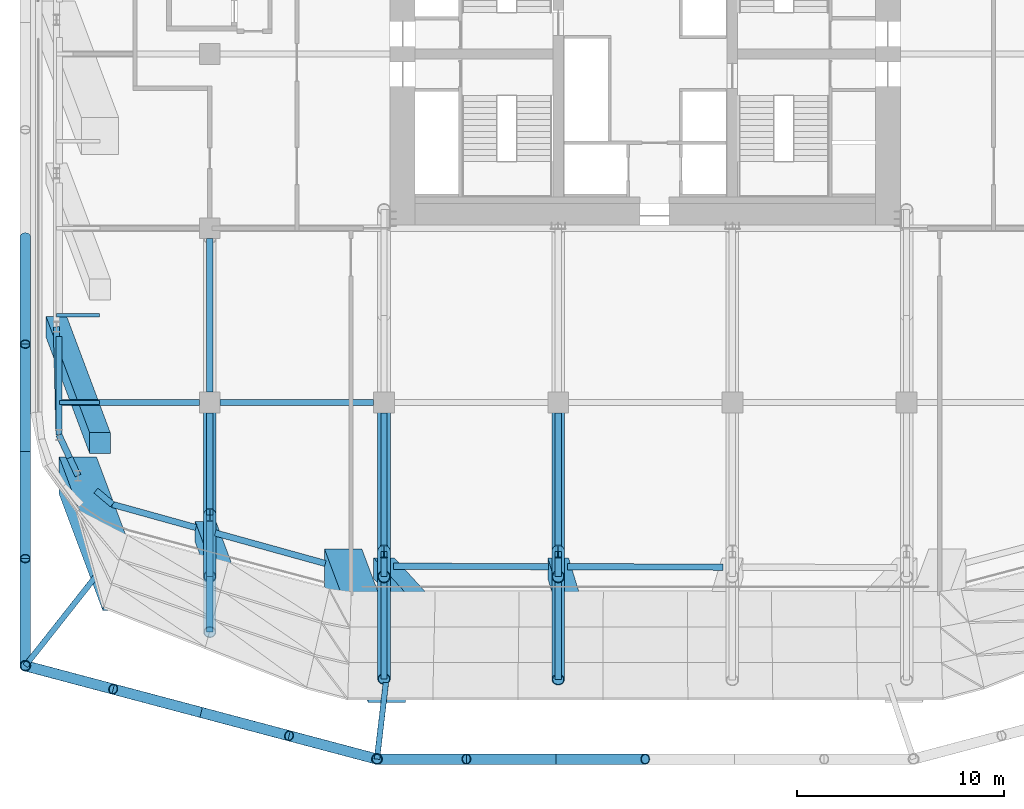
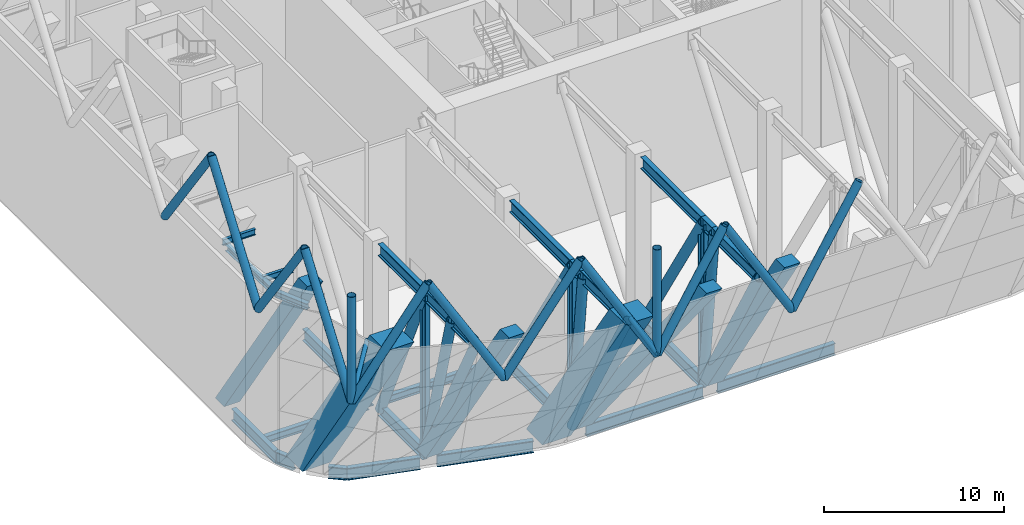
# One storey, part 3 of 19: 35 beams, 24 members.
"""IFC4 building model written with IfcOpenShell, lengths in metres."""

from ifc_helpers import new_model, si_unit, direction, frame, origin, origin_2d, place, context, subcontext, project, spatial, rectangle, hollow_circle, i_section, extrude, material, material_profile, profile_set, type_object, element, save


model = new_model("IFC4")

# Units and contexts
model_context = context("Model", 3, precision=1e-05, world=origin(), true_north=direction((0.0, 1.0)))
body_context = subcontext(model_context, "Body", "Model", "MODEL_VIEW")
ifc_project = project(units=[si_unit("LENGTHUNIT", "METRE"), si_unit("AREAUNIT", "SQUARE_METRE"), si_unit("VOLUMEUNIT", "CUBIC_METRE"), si_unit("PLANEANGLEUNIT", "RADIAN"), si_unit("MASSUNIT", "GRAM", prefix="KILO")], contexts=[model_context])

# Site, building, storey
site_placement = place(None, origin())
site = spatial("IfcSite", under=ifc_project, at=site_placement, CompositionType="ELEMENT")
building_placement = place(site_placement, origin())
building = spatial("IfcBuilding", under=site, at=building_placement, Name="Marenta Gate Hotel Tower", CompositionType="ELEMENT")
storey_placement = place(building_placement, frame((0.0, 0.0, 86.89990234375)))
storey = spatial("IfcBuildingStorey", under=building, at=storey_placement, Name="L20", CompositionType="ELEMENT", Elevation=86.89990234375)

# Members
ifc_material_1 = material(Name="Steel S355J2W", Category="steel")
ifc_material_profile_1 = material_profile(ifc_material_1, hollow_circle(Radius=0.25390625, WallThickness=0.02490234375, at=origin_2d()), Name="CHS 508x25")
ifc_profile_set_1 = profile_set([ifc_material_profile_1], Name="Steel S355J2W")
member_type_1 = type_object("IfcMemberType", Name="Diagrid corner post Z2 CHS 508x25", PredefinedType="POST", material=ifc_profile_set_1)
for number, where, z_axis, x_axis, name in (
    (1, (-12.93896484375, -25.60009765625, 10.340087890625), (0.0, 0.0, 1.0), (1.0, 0.0, 0.0), "L20-DR-4"),
    (2, (-29.89990234375, -21.10009765625, 10.340087890625), (0.0, 0.0, 1.0), (1.0, 0.0, 0.0), "L20-DR-5"),
):
    element("IfcMember", number, at=place(storey_placement, frame(where, z_axis=z_axis, x_axis=x_axis)), inside=storey, type_object=member_type_1, Name=name, PredefinedType="POST", context=body_context, shape_type="SweptSolid", body=[
        extrude(hollow_circle(Radius=0.25390625, WallThickness=0.02490234375, at=origin_2d()), origin(), (0.0, 0.0, 1.0), 7.199951171875),
    ])
ifc_material_2 = material(Name="Steel S355J2W", Category="steel")
ifc_material_profile_2 = material_profile(ifc_material_2, hollow_circle(Radius=0.25390625, WallThickness=0.0400390625, at=origin_2d()), Name="CHS 508x40")
ifc_profile_set_2 = profile_set([ifc_material_profile_2], Name="Steel S355J2W")
member_type_2 = type_object("IfcMemberType", Name="Diagrid diagonal Z2 CHS 508x40", PredefinedType="BRACE", material=ifc_profile_set_2)
for number, where, z_axis, x_axis, name in (
    (3, (-4.31298828125, -25.60009765625, 10.340087890625), (0.513883902774, 0.0, 0.857859740558), (0.0, 1.0, 0.0), "L20-DG-18"),
    (4, (-4.31298828125, -25.60009765625, 10.340087890625), (-0.513883902774, 0.0, 0.857859740558), (0.0, -1.0, 0.0), "L20-DG-19"),
    (5, (-12.93896484375, -25.60009765625, 10.340087890625), (0.513883902774, 0.0, 0.857859740558), (0.0, 1.0, 0.0), "L20-DG-20"),
):
    element("IfcMember", number, at=place(storey_placement, frame(where, z_axis=z_axis, x_axis=x_axis)), inside=storey, type_object=member_type_2, Name=name, PredefinedType="BRACE", context=body_context, shape_type="SweptSolid", body=[
        extrude(hollow_circle(Radius=0.25390625, WallThickness=0.0400390625, at=origin_2d()), origin(), (0.0, 0.0, 1.0), 8.392822265625),
    ])
for number, where, z_axis, x_axis, name in (
    (6, (-12.93896484375, -25.60009765625, 10.340087890625), (-0.502924018666, 0.133433548941, 0.853968921838), (-0.256443187528, -0.96655930577, 0.0), "L20-DG-21"),
    (7, (-21.41943359375, -23.35009765625, 10.340087890625), (0.502924018666, -0.133433548941, 0.853968921838), (0.256443187528, 0.96655930577, 0.0), "L20-DG-22"),
):
    element("IfcMember", number, at=place(storey_placement, frame(where, z_axis=z_axis, x_axis=x_axis)), inside=storey, type_object=member_type_2, Name=name, PredefinedType="BRACE", context=body_context, shape_type="SweptSolid", body=[
        extrude(hollow_circle(Radius=0.25390625, WallThickness=0.0400390625, at=origin_2d()), origin(), (0.0, 0.0, 1.0), 8.43115234375),
    ])
member_1_placement = place(storey_placement, frame((-21.41943359375, -23.35009765625, 10.340087890625), z_axis=(-0.502945650976, 0.133431605717, 0.853956485285), x_axis=(-0.256429393985, -0.966562965306, 0.0)))
element("IfcMember", 8, at=member_1_placement, inside=storey, type_object=member_type_2, Name="L20-DG-23", PredefinedType="BRACE", context=body_context, shape_type="SweptSolid", body=[
    extrude(hollow_circle(Radius=0.25390625, WallThickness=0.0400390625, at=origin_2d()), origin(), (0.0, 0.0, 1.0), 8.431396484375),
])
member_2_placement = place(storey_placement, frame((-29.89990234375, -21.10009765625, 10.340087890625), z_axis=(0.502902385412, -0.133435492139, 0.853981358218), x_axis=(0.256456982503, 0.966555645644, 0.0)))
element("IfcMember", 9, at=member_2_placement, inside=storey, type_object=member_type_2, Name="L20-DG-24", PredefinedType="BRACE", context=body_context, shape_type="SweptSolid", body=[
    extrude(hollow_circle(Radius=0.25390625, WallThickness=0.0400390625, at=origin_2d()), origin(), (0.0, 0.0, 1.0), 8.43115234375),
])
member_3_placement = place(storey_placement, frame((-29.89990234375, -21.10009765625, 10.340087890625), z_axis=(0.0, 0.583260841117, 0.812284919975), x_axis=(-1.0, 0.0, 0.0)))
element("IfcMember", 10, at=member_3_placement, inside=storey, type_object=member_type_2, Name="L20-DG-25", PredefinedType="BRACE", context=body_context, shape_type="SweptSolid", body=[
    extrude(hollow_circle(Radius=0.25390625, WallThickness=0.0400390625, at=origin_2d()), origin(), (0.0, 0.0, 1.0), 8.86376953125),
])
member_4_placement = place(storey_placement, frame((-29.89990234375, -10.760009765625, 10.340087890625), z_axis=(0.0, -0.583279014058, 0.812271870595), x_axis=(1.0, 0.0, 0.0)))
element("IfcMember", 11, at=member_4_placement, inside=storey, type_object=member_type_2, Name="L20-DG-26", PredefinedType="BRACE", context=body_context, shape_type="SweptSolid", body=[
    extrude(hollow_circle(Radius=0.25390625, WallThickness=0.0400390625, at=origin_2d()), origin(), (0.0, 0.0, 1.0), 8.864013671875),
])
for number, where, z_axis, x_axis, name in (
    (12, (-29.89990234375, -10.760009765625, 10.340087890625), (0.0, 0.583260841117, 0.812284919975), (-1.0, 0.0, 0.0), "L20-DG-27"),
    (13, (-29.89990234375, -0.420166015625, 10.340087890625), (0.0, -0.583260841117, 0.812284919975), (1.0, 0.0, 0.0), "L20-DG-28"),
):
    element("IfcMember", number, at=place(storey_placement, frame(where, z_axis=z_axis, x_axis=x_axis)), inside=storey, type_object=member_type_2, Name=name, PredefinedType="BRACE", context=body_context, shape_type="SweptSolid", body=[
        extrude(hollow_circle(Radius=0.25390625, WallThickness=0.0400390625, at=origin_2d()), origin(), (0.0, 0.0, 1.0), 8.86376953125),
    ])

# Beams
ifc_material_3 = material(Name="Steel S355", Category="steel")
ifc_material_profile_3 = material_profile(ifc_material_3, i_section(OverallWidth=0.302978515625, OverallDepth=0.81396484375, WebThickness=0.030029296875, FlangeThickness=0.052001953125, FilletRadius=0.030029296875, at=origin_2d()), Name="HEM 800")
ifc_profile_set_3 = profile_set([ifc_material_profile_3], Name="Steel S355")
beam_type_1 = type_object("IfcBeamType", Name="Edge beam HEM 800", PredefinedType="SPANDREL", material=ifc_profile_set_3)
beam_1_placement = place(storey_placement, frame((-15.427734375, -16.166748046875, -0.706787109375), z_axis=(-0.963623684238, 0.267262782998, 0.0), x_axis=(-0.267262782998, -0.963623684238, 0.0)))
element("IfcBeam", 14, at=beam_1_placement, inside=storey, type_object=beam_type_1, Name="L20-EB-1", PredefinedType="SPANDREL", context=body_context, shape_type="SweptSolid", body=[
    extrude(i_section(OverallWidth=0.302978515625, OverallDepth=0.81396484375, WebThickness=0.030029296875, FlangeThickness=0.052001953125, FilletRadius=0.030029296875, at=origin_2d()), origin(), (0.0, 0.0, 1.0), 5.518310546875),
])
beam_2_placement = place(storey_placement, frame((-21.668212890625, -14.43603515625, -0.706787109375), z_axis=(-0.963617403201, 0.267285428426, 0.0), x_axis=(-0.267285428426, -0.963617403201, 0.0)))
element("IfcBeam", 15, at=beam_2_placement, inside=storey, type_object=beam_type_1, Name="L20-EB-2", PredefinedType="SPANDREL", context=body_context, shape_type="SweptSolid", body=[
    extrude(i_section(OverallWidth=0.302978515625, OverallDepth=0.81396484375, WebThickness=0.030029296875, FlangeThickness=0.052001953125, FilletRadius=0.030029296875, at=origin_2d()), origin(), (0.0, 0.0, 1.0), 4.1806640625),
])
beam_3_placement = place(storey_placement, frame((-25.69677734375, -13.318603515625, -0.706787109375), z_axis=(-0.767179911534, 0.641431978731, 0.0), x_axis=(-0.641431978731, -0.767179911534, 0.0)))
element("IfcBeam", 16, at=beam_3_placement, inside=storey, type_object=beam_type_1, Name="L20-EB-3", PredefinedType="SPANDREL", context=body_context, shape_type="SweptSolid", body=[
    extrude(i_section(OverallWidth=0.302978515625, OverallDepth=0.81396484375, WebThickness=0.030029296875, FlangeThickness=0.052001953125, FilletRadius=0.030029296875, at=origin_2d()), origin(), (0.0, 0.0, 1.0), 1.038818359375),
])
beam_4_placement = place(storey_placement, frame((-27.76025390625, -11.0693359375, -0.706787109375), z_axis=(-0.423291965192, 0.905993329006, 0.0), x_axis=(-0.905993329006, -0.423291965192, 0.0)))
element("IfcBeam", 17, at=beam_4_placement, inside=storey, type_object=beam_type_1, Name="L20-EB-4", PredefinedType="SPANDREL", context=body_context, shape_type="SweptSolid", body=[
    extrude(i_section(OverallWidth=0.302978515625, OverallDepth=0.81396484375, WebThickness=0.030029296875, FlangeThickness=0.052001953125, FilletRadius=0.030029296875, at=origin_2d()), origin(), (0.0, 0.0, 1.0), 1.21630859375),
])
beam_5_placement = place(storey_placement, frame((-28.275146484375, -9.96728515625, -0.706787109375), z_axis=(0.001386177947, 0.999999039255, 0.0), x_axis=(-0.999999039255, 0.001386177947, 0.0)))
element("IfcBeam", 18, at=beam_5_placement, inside=storey, type_object=beam_type_1, Name="L20-EB-5", PredefinedType="SPANDREL", context=body_context, shape_type="SweptSolid", body=[
    extrude(i_section(OverallWidth=0.302978515625, OverallDepth=0.81396484375, WebThickness=0.030029296875, FlangeThickness=0.052001953125, FilletRadius=0.030029296875, at=origin_2d()), origin(), (0.0, 0.0, 1.0), 4.75537109375),
])
for number, where, z_axis, x_axis, name in (
    (19, (3.739990234375, -16.3427734375, -0.706787109375), (-0.99999624158, 0.002741683018, 0.0), (-0.002741683018, -0.99999624158, 0.0), "L20-EB-33"),
    (20, (-4.659912109375, -16.31982421875, -0.706787109375), (-0.999996151562, 0.002774321851, 0.0), (-0.002774321851, -0.999996151562, 0.0), "L20-EB-34"),
):
    element("IfcBeam", number, at=place(storey_placement, frame(where, z_axis=z_axis, x_axis=x_axis)), inside=storey, type_object=beam_type_1, Name=name, PredefinedType="SPANDREL", context=body_context, shape_type="SweptSolid", body=[
        extrude(i_section(OverallWidth=0.302978515625, OverallDepth=0.81396484375, WebThickness=0.030029296875, FlangeThickness=0.052001953125, FilletRadius=0.030029296875, at=origin_2d()), origin(), (0.0, 0.0, 1.0), 7.47998046875),
    ])

# Members
ifc_material_4 = material(Name="Concrete C80", Category="concrete")
ifc_material_profile_4 = material_profile(ifc_material_4, rectangle(XDim=1.0, YDim=1.0, at=origin_2d()), Name="1000 x 1000")
ifc_profile_set_4 = profile_set([ifc_material_profile_4], Name="Concrete C80")
member_type_3 = type_object("IfcMemberType", Name="Edge column raked 1000 x 1000 C80", PredefinedType="STRUT", material=ifc_profile_set_4)
member_5_placement = place(storey_placement, frame((-28.39990234375, -4.751953125, 0.0), z_axis=(0.0, 0.0, 1.0), x_axis=(1.0, 0.0, 0.0)))
element("IfcMember", 21, at=member_5_placement, inside=storey, type_object=member_type_3, Name="L20-EC-SW-W-1", PredefinedType="STRUT", context=body_context, shape_type="SweptSolid", body=[
    extrude(rectangle(XDim=1.0, YDim=1.0, at=origin_2d()), origin(), (0.170092035922, -0.453598538302, 0.874824019656), 12.345458984375),
])
member_6_placement = place(storey_placement, frame((-4.199951171875, -16.39990234375, 0.0), z_axis=(0.0, 0.0, 1.0), x_axis=(1.0, 0.0, 0.0)))
element("IfcMember", 22, at=member_6_placement, inside=storey, type_object=member_type_3, Name="L20-EC-SKE-SKW-3", PredefinedType="STRUT", context=body_context, shape_type="SweptSolid", body=[
    extrude(rectangle(XDim=1.0, YDim=1.0, at=origin_2d()), origin(), (0.138915860458, -0.45585865625, 0.879144623617), 12.28466796875),
])
member_7_placement = place(storey_placement, frame((-12.60009765625, -16.39990234375, 0.0), z_axis=(0.0, 0.0, 1.0), x_axis=(1.0, 0.0, 0.0)))
element("IfcMember", 23, at=member_7_placement, inside=storey, type_object=member_type_3, Name="L20-EC-SKE-SKW-4", PredefinedType="STRUT", context=body_context, shape_type="SweptSolid", body=[
    extrude(rectangle(XDim=1.0, YDim=1.0, at=origin_2d()), origin(), (0.387912435932, -0.424276914715, 0.818237765988), 13.19921875),
])
member_8_placement = place(storey_placement, frame((-21.206787109375, -14.63916015625, 0.0), z_axis=(0.0, 0.0, 1.0), x_axis=(1.0, 0.0, 0.0)))
element("IfcMember", 24, at=member_8_placement, inside=storey, type_object=member_type_3, Name="L20-EC-SKW-SW-1", PredefinedType="STRUT", context=body_context, shape_type="SweptSolid", body=[
    extrude(rectangle(XDim=1.0, YDim=1.0, at=origin_2d()), origin(), (0.170111239528, -0.453597012445, 0.874821076842), 12.345458984375),
])
ifc_material_5 = material(Name="Steel S355J2W", Category="steel")
ifc_material_profile_5 = material_profile(ifc_material_5, hollow_circle(Radius=0.136474609375, WallThickness=0.012451171875, at=origin_2d()), Name="CHS 273x12.5")
ifc_profile_set_5 = profile_set([ifc_material_profile_5], Name="Steel S355J2W")
member_type_4 = type_object("IfcMemberType", Name="Floor tie CHS 273x12.5", PredefinedType="STRUT", material=ifc_profile_set_5)
member_9_placement = place(storey_placement, frame((-12.93896484375, -25.60009765625, 10.340087890625), z_axis=(0.115972481709, 0.993252426872, 0.0), x_axis=(-0.993252426872, 0.115972481709, 0.0)))
element("IfcMember", 25, at=member_9_placement, inside=storey, type_object=member_type_4, Name="L20-DR-10", PredefinedType="STRUT", context=body_context, shape_type="SweptSolid", body=[
    extrude(hollow_circle(Radius=0.136474609375, WallThickness=0.012451171875, at=origin_2d()), origin(), (0.0, 0.0, 1.0), 3.7177734375),
])
member_10_placement = place(storey_placement, frame((-29.89990234375, -21.10009765625, 10.340087890625), z_axis=(0.619558325386, 0.784950623571, 0.0), x_axis=(-0.784950623571, 0.619558325386, 0.0)))
element("IfcMember", 26, at=member_10_placement, inside=storey, type_object=member_type_4, Name="L20-DR-11", PredefinedType="STRUT", context=body_context, shape_type="SweptSolid", body=[
    extrude(hollow_circle(Radius=0.136474609375, WallThickness=0.012451171875, at=origin_2d()), origin(), (0.0, 0.0, 1.0), 5.985595703125),
])

# Beams
ifc_material_6 = material(Name="Steel S355", Category="steel")
ifc_material_profile_6 = material_profile(ifc_material_6, i_section(OverallWidth=0.300048828125, OverallDepth=0.5, WebThickness=0.014404296875, FlangeThickness=0.028076171875, FilletRadius=0.027099609375, at=origin_2d()), Name="HEB 500")
ifc_profile_set_6 = profile_set([ifc_material_profile_6], Name="Steel S355")
beam_type_2 = type_object("IfcBeamType", Name="Girder HEB 500", PredefinedType="BEAM", material=ifc_profile_set_6)
beam_6_placement = place(storey_placement, frame((-28.12158203125, -8.39990234375, -0.5498046875), z_axis=(1.0, 0.0, 0.0), x_axis=(0.0, 1.0, 0.0)))
element("IfcBeam", 27, at=beam_6_placement, inside=storey, type_object=beam_type_2, Name="L20-GD-1", PredefinedType="BEAM", context=body_context, shape_type="SweptSolid", body=[
    extrude(i_section(OverallWidth=0.300048828125, OverallDepth=0.5, WebThickness=0.014404296875, FlangeThickness=0.028076171875, FilletRadius=0.027099609375, at=origin_2d()), origin(), (0.0, 0.0, 1.0), 6.62158203125),
])
beam_7_placement = place(storey_placement, frame((-20.5, -8.39990234375, -0.5498046875), z_axis=(1.0, 0.0, 0.0), x_axis=(0.0, 1.0, 0.0)))
element("IfcBeam", 28, at=beam_7_placement, inside=storey, type_object=beam_type_2, Name="L20-GD-2", PredefinedType="BEAM", context=body_context, shape_type="SweptSolid", body=[
    extrude(i_section(OverallWidth=0.300048828125, OverallDepth=0.5, WebThickness=0.014404296875, FlangeThickness=0.028076171875, FilletRadius=0.027099609375, at=origin_2d()), origin(), (0.0, 0.0, 1.0), 7.39990234375),
])

# Members
ifc_material_7 = material(Name="Concrete C80", Category="concrete")
ifc_material_profile_7 = material_profile(ifc_material_7, rectangle(XDim=1.800048828125, YDim=1.800048828125, at=origin_2d()), Name="1800 x 1800")
ifc_profile_set_7 = profile_set([ifc_material_profile_7], Name="Concrete C80")
member_type_5 = type_object("IfcMemberType", Name="Mega column raked 1800 x 1800 C80", PredefinedType="STRUT", material=ifc_profile_set_7)
member_11_placement = place(storey_placement, frame((-27.363037109375, -11.93310546875, 0.0), z_axis=(0.0, 0.0, 1.0), x_axis=(1.0, 0.0, 0.0)))
element("IfcMember", 29, at=member_11_placement, inside=storey, type_object=member_type_5, Name="L20-MC-SW", PredefinedType="STRUT", context=body_context, shape_type="SweptSolid", body=[
    extrude(rectangle(XDim=1.800048828125, YDim=1.800048828125, at=origin_2d()), origin(), (0.170111239528, -0.453597012445, 0.874821076842), 12.345458984375),
])
member_12_placement = place(storey_placement, frame((-14.56640625, -16.374755859375, 0.0), z_axis=(0.0, 0.0, 1.0), x_axis=(1.0, 0.0, 0.0)))
element("IfcMember", 30, at=member_12_placement, inside=storey, type_object=member_type_5, Name="L20-MC-SKW", PredefinedType="STRUT", context=body_context, shape_type="SweptSolid", body=[
    extrude(rectangle(XDim=1.800048828125, YDim=1.800048828125, at=origin_2d()), origin(), (0.170109713578, -0.45361271914, 0.874813229427), 12.345458984375),
])

# Beams
ifc_material_8 = material(Name="Steel S355", Category="steel")
ifc_material_profile_8 = material_profile(ifc_material_8, i_section(OverallWidth=0.302978515625, OverallDepth=0.81396484375, WebThickness=0.030029296875, FlangeThickness=0.052001953125, FilletRadius=0.030029296875, at=origin_2d()), Name="HEM 800")
ifc_profile_set_8 = profile_set([ifc_material_profile_8], Name="Steel S355")
beam_type_3 = type_object("IfcBeamType", Name="Outrigger truss chord HEM 800", PredefinedType="BEAM", material=ifc_profile_set_8)
beam_8_placement = place(storey_placement, frame((-21.0, -0.5, -0.706787109375), z_axis=(0.0, -1.0, 0.0), x_axis=(1.0, 0.0, 0.0)))
element("IfcBeam", 31, at=beam_8_placement, inside=storey, type_object=beam_type_3, Name="TC-HEM800 Outrigger truss T1-4 chord", PredefinedType="BEAM", context=body_context, shape_type="SweptSolid", body=[
    extrude(i_section(OverallWidth=0.302978515625, OverallDepth=0.81396484375, WebThickness=0.030029296875, FlangeThickness=0.052001953125, FilletRadius=0.030029296875, at=origin_2d()), origin(), (0.0, 0.0, 1.0), 7.39990234375),
])
for number, where, z_axis, x_axis, name in (
    (32, (-21.0, -8.89990234375, -0.706787109375), (0.0, -1.0, 0.0), (1.0, 0.0, 0.0), "TC-HEM800 Outrigger truss T1-4 chord"),
    (33, (-21.0, -8.89990234375, 10.133056640625), (0.0, -1.0, 0.0), (1.0, 0.0, 0.0), "TC-HEM800 Outrigger truss T1-4 chord"),
):
    element("IfcBeam", number, at=place(storey_placement, frame(where, z_axis=z_axis, x_axis=x_axis)), inside=storey, type_object=beam_type_3, Name=name, PredefinedType="BEAM", context=body_context, shape_type="SweptSolid", body=[
        extrude(i_section(OverallWidth=0.302978515625, OverallDepth=0.81396484375, WebThickness=0.030029296875, FlangeThickness=0.052001953125, FilletRadius=0.030029296875, at=origin_2d()), origin(), (0.0, 0.0, 1.0), 4.9287109375),
    ])
beam_9_placement = place(storey_placement, frame((-21.0, -13.82861328125, 10.133056640625), z_axis=(0.0, -1.0, 0.0), x_axis=(1.0, 0.0, 0.0)))
element("IfcBeam", 34, at=beam_9_placement, inside=storey, type_object=beam_type_3, Name="TC-HEM800 Outrigger truss T1-4 chord", PredefinedType="BEAM", context=body_context, shape_type="SweptSolid", body=[
    extrude(i_section(OverallWidth=0.302978515625, OverallDepth=0.81396484375, WebThickness=0.030029296875, FlangeThickness=0.052001953125, FilletRadius=0.030029296875, at=origin_2d()), origin(), (0.0, 0.0, 1.0), 2.971435546875),
])
beam_10_placement = place(storey_placement, frame((-21.0, -16.800048828125, 10.133056640625), z_axis=(0.0, -1.0, 0.0), x_axis=(1.0, 0.0, 0.0)))
element("IfcBeam", 35, at=beam_10_placement, inside=storey, type_object=beam_type_3, Name="TC-HEM800 Outrigger truss T1-4 chord", PredefinedType="BEAM", context=body_context, shape_type="SweptSolid", body=[
    extrude(i_section(OverallWidth=0.302978515625, OverallDepth=0.81396484375, WebThickness=0.030029296875, FlangeThickness=0.052001953125, FilletRadius=0.030029296875, at=origin_2d()), origin(), (0.0, 0.0, 1.0), 2.681640625),
])
for number, where, z_axis, x_axis, name in (
    (36, (-12.60009765625, -8.89990234375, -0.706787109375), (0.0, -1.0, 0.0), (1.0, 0.0, 0.0), "TC-HEM800 Outrigger truss T1-5 chord"),
    (37, (-12.60009765625, -8.89990234375, 10.133056640625), (0.0, -1.0, 0.0), (1.0, 0.0, 0.0), "TC-HEM800 Outrigger truss T1-5 chord"),
):
    element("IfcBeam", number, at=place(storey_placement, frame(where, z_axis=z_axis, x_axis=x_axis)), inside=storey, type_object=beam_type_3, Name=name, PredefinedType="BEAM", context=body_context, shape_type="SweptSolid", body=[
        extrude(i_section(OverallWidth=0.302978515625, OverallDepth=0.81396484375, WebThickness=0.030029296875, FlangeThickness=0.052001953125, FilletRadius=0.030029296875, at=origin_2d()), origin(), (0.0, 0.0, 1.0), 6.689697265625),
    ])
beam_11_placement = place(storey_placement, frame((-12.60009765625, -15.589599609375, 10.133056640625), z_axis=(0.0, -1.0, 0.0), x_axis=(1.0, 0.0, 0.0)))
element("IfcBeam", 38, at=beam_11_placement, inside=storey, type_object=beam_type_3, Name="TC-HEM800 Outrigger truss T1-5 chord", PredefinedType="BEAM", context=body_context, shape_type="SweptSolid", body=[
    extrude(i_section(OverallWidth=0.302978515625, OverallDepth=0.81396484375, WebThickness=0.030029296875, FlangeThickness=0.052001953125, FilletRadius=0.030029296875, at=origin_2d()), origin(), (0.0, 0.0, 1.0), 1.21044921875),
])
beam_12_placement = place(storey_placement, frame((-12.60009765625, -16.800048828125, 10.133056640625), z_axis=(0.0, -1.0, 0.0), x_axis=(1.0, 0.0, 0.0)))
element("IfcBeam", 39, at=beam_12_placement, inside=storey, type_object=beam_type_3, Name="TC-HEM800 Outrigger truss T1-5 chord", PredefinedType="BEAM", context=body_context, shape_type="SweptSolid", body=[
    extrude(i_section(OverallWidth=0.302978515625, OverallDepth=0.81396484375, WebThickness=0.030029296875, FlangeThickness=0.052001953125, FilletRadius=0.030029296875, at=origin_2d()), origin(), (0.0, 0.0, 1.0), 4.940673828125),
])
for number, where, z_axis, x_axis, name in (
    (40, (-4.199951171875, -8.89990234375, -0.706787109375), (0.0, -1.0, 0.0), (1.0, 0.0, 0.0), "TC-HEM800 Outrigger truss T1-6 chord"),
    (41, (-4.199951171875, -8.89990234375, 10.133056640625), (0.0, -1.0, 0.0), (1.0, 0.0, 0.0), "TC-HEM800 Outrigger truss T1-6 chord"),
):
    element("IfcBeam", number, at=place(storey_placement, frame(where, z_axis=z_axis, x_axis=x_axis)), inside=storey, type_object=beam_type_3, Name=name, PredefinedType="BEAM", context=body_context, shape_type="SweptSolid", body=[
        extrude(i_section(OverallWidth=0.302978515625, OverallDepth=0.81396484375, WebThickness=0.030029296875, FlangeThickness=0.052001953125, FilletRadius=0.030029296875, at=origin_2d()), origin(), (0.0, 0.0, 1.0), 6.689697265625),
    ])
beam_13_placement = place(storey_placement, frame((-4.199951171875, -15.589599609375, 10.133056640625), z_axis=(0.0, -1.0, 0.0), x_axis=(1.0, 0.0, 0.0)))
element("IfcBeam", 42, at=beam_13_placement, inside=storey, type_object=beam_type_3, Name="TC-HEM800 Outrigger truss T1-6 chord", PredefinedType="BEAM", context=body_context, shape_type="SweptSolid", body=[
    extrude(i_section(OverallWidth=0.302978515625, OverallDepth=0.81396484375, WebThickness=0.030029296875, FlangeThickness=0.052001953125, FilletRadius=0.030029296875, at=origin_2d()), origin(), (0.0, 0.0, 1.0), 1.21044921875),
])
beam_14_placement = place(storey_placement, frame((-4.199951171875, -16.800048828125, 10.133056640625), z_axis=(0.0, -1.0, 0.0), x_axis=(1.0, 0.0, 0.0)))
element("IfcBeam", 43, at=beam_14_placement, inside=storey, type_object=beam_type_3, Name="TC-HEM800 Outrigger truss T1-6 chord", PredefinedType="BEAM", context=body_context, shape_type="SweptSolid", body=[
    extrude(i_section(OverallWidth=0.302978515625, OverallDepth=0.81396484375, WebThickness=0.030029296875, FlangeThickness=0.052001953125, FilletRadius=0.030029296875, at=origin_2d()), origin(), (0.0, 0.0, 1.0), 4.967529296875),
])
ifc_material_9 = material(Name="Steel S355", Category="steel")
ifc_material_profile_9 = material_profile(ifc_material_9, hollow_circle(Radius=0.304931640625, WallThickness=0.0400390625, at=origin_2d()), Name="CHS 610x40")
ifc_profile_set_9 = profile_set([ifc_material_profile_9], Name="Steel S355")
beam_type_4 = type_object("IfcBeamType", Name="Outrigger truss diagonal CHS 610x40", PredefinedType="BEAM", material=ifc_profile_set_9)
beam_15_placement = place(storey_placement, frame((-21.0, -8.89990234375, -0.706787109375), z_axis=(0.0, -0.413907982644, 0.910318725449), x_axis=(1.0, 0.0, 0.0)))
element("IfcBeam", 44, at=beam_15_placement, inside=storey, type_object=beam_type_4, Name="Outrigger truss T1-4 diagonal", PredefinedType="BEAM", context=body_context, shape_type="SweptSolid", body=[
    extrude(hollow_circle(Radius=0.304931640625, WallThickness=0.0400390625, at=origin_2d()), origin(), (0.0, 0.0, 1.0), 11.90771484375),
])
beam_16_placement = place(storey_placement, frame((-21.0, -13.82861328125, -0.706787109375), z_axis=(0.0, -0.264368827222, 0.96442165218), x_axis=(1.0, 0.0, 0.0)))
element("IfcBeam", 45, at=beam_16_placement, inside=storey, type_object=beam_type_4, Name="Outrigger truss T1-4 diagonal", PredefinedType="BEAM", context=body_context, shape_type="SweptSolid", body=[
    extrude(hollow_circle(Radius=0.304931640625, WallThickness=0.0400390625, at=origin_2d()), origin(), (0.0, 0.0, 1.0), 11.23974609375),
])
beam_17_placement = place(storey_placement, frame((-21.0, -13.82861328125, -0.706787109375), z_axis=(0.0, -0.462405615899, 0.886668509864), x_axis=(1.0, 0.0, 0.0)))
element("IfcBeam", 46, at=beam_17_placement, inside=storey, type_object=beam_type_4, Name="Outrigger truss T1-4 diagonal", PredefinedType="BEAM", context=body_context, shape_type="SweptSolid", body=[
    extrude(hollow_circle(Radius=0.304931640625, WallThickness=0.0400390625, at=origin_2d()), origin(), (0.0, 0.0, 1.0), 12.225341796875),
])
beam_18_placement = place(storey_placement, frame((-12.60009765625, -8.89990234375, -0.706787109375), z_axis=(0.0, -0.525180277078, 0.850990996761), x_axis=(1.0, 0.0, 0.0)))
element("IfcBeam", 47, at=beam_18_placement, inside=storey, type_object=beam_type_4, Name="Outrigger truss T1-5 diagonal", PredefinedType="BEAM", context=body_context, shape_type="SweptSolid", body=[
    extrude(hollow_circle(Radius=0.304931640625, WallThickness=0.0400390625, at=origin_2d()), origin(), (0.0, 0.0, 1.0), 12.73779296875),
])
beam_19_placement = place(storey_placement, frame((-12.60009765625, -15.589599609375, -0.706787109375), z_axis=(0.0, -0.110976900111, 0.99382298607), x_axis=(1.0, 0.0, 0.0)))
element("IfcBeam", 48, at=beam_19_placement, inside=storey, type_object=beam_type_4, Name="Outrigger truss T1-5 diagonal", PredefinedType="BEAM", context=body_context, shape_type="SweptSolid", body=[
    extrude(hollow_circle(Radius=0.304931640625, WallThickness=0.0400390625, at=origin_2d()), origin(), (0.0, 0.0, 1.0), 10.9072265625),
])
beam_20_placement = place(storey_placement, frame((-12.60009765625, -15.589599609375, -0.706787109375), z_axis=(0.0, -0.493531438629, 0.869727956941), x_axis=(1.0, 0.0, 0.0)))
element("IfcBeam", 49, at=beam_20_placement, inside=storey, type_object=beam_type_4, Name="Outrigger truss T1-5 diagonal", PredefinedType="BEAM", context=body_context, shape_type="SweptSolid", body=[
    extrude(hollow_circle(Radius=0.304931640625, WallThickness=0.0400390625, at=origin_2d()), origin(), (0.0, 0.0, 1.0), 12.46337890625),
])
beam_21_placement = place(storey_placement, frame((-4.199951171875, -8.89990234375, -0.706787109375), z_axis=(0.0, -0.525180277078, 0.850990996761), x_axis=(1.0, 0.0, 0.0)))
element("IfcBeam", 50, at=beam_21_placement, inside=storey, type_object=beam_type_4, Name="Outrigger truss T1-6 diagonal", PredefinedType="BEAM", context=body_context, shape_type="SweptSolid", body=[
    extrude(hollow_circle(Radius=0.304931640625, WallThickness=0.0400390625, at=origin_2d()), origin(), (0.0, 0.0, 1.0), 12.73779296875),
])
beam_22_placement = place(storey_placement, frame((-4.199951171875, -15.589599609375, -0.706787109375), z_axis=(0.0, -0.110976900111, 0.99382298607), x_axis=(1.0, 0.0, 0.0)))
element("IfcBeam", 51, at=beam_22_placement, inside=storey, type_object=beam_type_4, Name="Outrigger truss T1-6 diagonal", PredefinedType="BEAM", context=body_context, shape_type="SweptSolid", body=[
    extrude(hollow_circle(Radius=0.304931640625, WallThickness=0.0400390625, at=origin_2d()), origin(), (0.0, 0.0, 1.0), 10.9072265625),
])
beam_23_placement = place(storey_placement, frame((-4.199951171875, -15.589599609375, -0.706787109375), z_axis=(0.0, -0.495158735967, 0.86880252428), x_axis=(1.0, 0.0, 0.0)))
element("IfcBeam", 52, at=beam_23_placement, inside=storey, type_object=beam_type_4, Name="Outrigger truss T1-6 diagonal", PredefinedType="BEAM", context=body_context, shape_type="SweptSolid", body=[
    extrude(hollow_circle(Radius=0.304931640625, WallThickness=0.0400390625, at=origin_2d()), origin(), (0.0, 0.0, 1.0), 12.476806640625),
])

# Members
ifc_material_10 = material(Name="Steel S355", Category="steel")
ifc_material_profile_10 = material_profile(ifc_material_10, i_section(OverallWidth=0.304931640625, OverallDepth=0.6201171875, WebThickness=0.02490234375, FlangeThickness=0.0439453125, FilletRadius=0.027099609375, at=origin_2d()), Name="HEM 600")
ifc_profile_set_10 = profile_set([ifc_material_profile_10], Name="Steel S355")
member_type_6 = type_object("IfcMemberType", Name="Outrigger truss post HEM 600", PredefinedType="POST", material=ifc_profile_set_10)
for number, where, z_axis, x_axis, name in (
    (53, (-21.0, -13.82861328125, -0.706787109375), (0.0, 0.0, 1.0), (1.0, 0.0, 0.0), "TR-HEM600 Outrigger truss T1-4 post"),
    (54, (-12.60009765625, -15.589599609375, -0.706787109375), (0.0, 0.0, 1.0), (1.0, 0.0, 0.0), "TR-HEM600 Outrigger truss T1-5 post"),
    (55, (-4.199951171875, -15.589599609375, -0.706787109375), (0.0, 0.0, 1.0), (1.0, 0.0, 0.0), "TR-HEM600 Outrigger truss T1-6 post"),
):
    element("IfcMember", number, at=place(storey_placement, frame(where, z_axis=z_axis, x_axis=x_axis)), inside=storey, type_object=member_type_6, Name=name, PredefinedType="POST", context=body_context, shape_type="SweptSolid", body=[
        extrude(i_section(OverallWidth=0.304931640625, OverallDepth=0.6201171875, WebThickness=0.02490234375, FlangeThickness=0.0439453125, FilletRadius=0.027099609375, at=origin_2d()), origin(), (0.0, 0.0, 1.0), 10.83984375),
    ])

# Beams
ifc_material_11 = material(Name="Steel S355", Category="steel")
ifc_material_profile_11 = material_profile(ifc_material_11, i_section(OverallWidth=0.179931640625, OverallDepth=0.39990234375, WebThickness=0.008544921875, FlangeThickness=0.013427734375, FilletRadius=0.02099609375, at=origin_2d()), Name="IPE 400")
ifc_profile_set_11 = profile_set([ifc_material_profile_11], Name="Steel S355")
beam_type_5 = type_object("IfcBeamType", Name="Terrace beam IPE 400", PredefinedType="JOIST", material=ifc_profile_set_11)
beam_24_placement = place(storey_placement, frame((-28.2490234375, -8.39990234375, 10.340087890625), z_axis=(1.0, 0.0, 0.0), x_axis=(0.0, 1.0, 0.0)))
element("IfcBeam", 56, at=beam_24_placement, inside=storey, type_object=beam_type_5, Name="L20-TB-23", PredefinedType="JOIST", context=body_context, shape_type="SweptSolid", body=[
    extrude(i_section(OverallWidth=0.179931640625, OverallDepth=0.39990234375, WebThickness=0.008544921875, FlangeThickness=0.013427734375, FilletRadius=0.02099609375, at=origin_2d()), origin(), (0.0, 0.0, 1.0), 1.932861328125),
])
beam_25_placement = place(storey_placement, frame((-28.39990234375, -4.199951171875, 10.340087890625), z_axis=(1.0, 0.0, 0.0), x_axis=(0.0, 1.0, 0.0)))
element("IfcBeam", 57, at=beam_25_placement, inside=storey, type_object=beam_type_5, Name="L20-TB-24", PredefinedType="JOIST", context=body_context, shape_type="SweptSolid", body=[
    extrude(i_section(OverallWidth=0.179931640625, OverallDepth=0.39990234375, WebThickness=0.008544921875, FlangeThickness=0.013427734375, FilletRadius=0.02099609375, at=origin_2d()), origin(), (0.0, 0.0, 1.0), 2.089599609375),
])
ifc_material_12 = material(Name="Steel S355", Category="steel")
ifc_material_profile_12 = material_profile(ifc_material_12, i_section(OverallWidth=0.300048828125, OverallDepth=0.39990234375, WebThickness=0.013427734375, FlangeThickness=0.02392578125, FilletRadius=0.027099609375, at=origin_2d()), Name="HEB 400")
ifc_profile_set_12 = profile_set([ifc_material_profile_12], Name="Steel S355")
beam_type_6 = type_object("IfcBeamType", Name="Terrace edge beam HEB 400", PredefinedType="SPANDREL", material=ifc_profile_set_12)
beam_26_placement = place(storey_placement, frame((-27.358154296875, -11.92919921875, 10.340087890625), z_axis=(-0.42342848695, 0.905929531718, 0.0), x_axis=(-0.905929531718, -0.42342848695, 0.0)))
element("IfcBeam", 58, at=beam_26_placement, inside=storey, type_object=beam_type_6, Name="L20-TE-1", PredefinedType="SPANDREL", context=body_context, shape_type="SweptSolid", body=[
    extrude(i_section(OverallWidth=0.300048828125, OverallDepth=0.39990234375, WebThickness=0.013427734375, FlangeThickness=0.02392578125, FilletRadius=0.027099609375, at=origin_2d()), origin(), (0.0, 0.0, 1.0), 2.16552734375),
])
beam_27_placement = place(storey_placement, frame((-28.275146484375, -9.96728515625, 10.340087890625), z_axis=(-0.023914140165, 0.999714016057, 0.0), x_axis=(-0.999714016057, -0.023914140165, 0.0)))
element("IfcBeam", 59, at=beam_27_placement, inside=storey, type_object=beam_type_6, Name="L20-TE-2", PredefinedType="SPANDREL", context=body_context, shape_type="SweptSolid", body=[
    extrude(i_section(OverallWidth=0.300048828125, OverallDepth=0.39990234375, WebThickness=0.013427734375, FlangeThickness=0.02392578125, FilletRadius=0.027099609375, at=origin_2d()), origin(), (0.0, 0.0, 1.0), 5.216796875),
])

save(model, "model.ifc")
